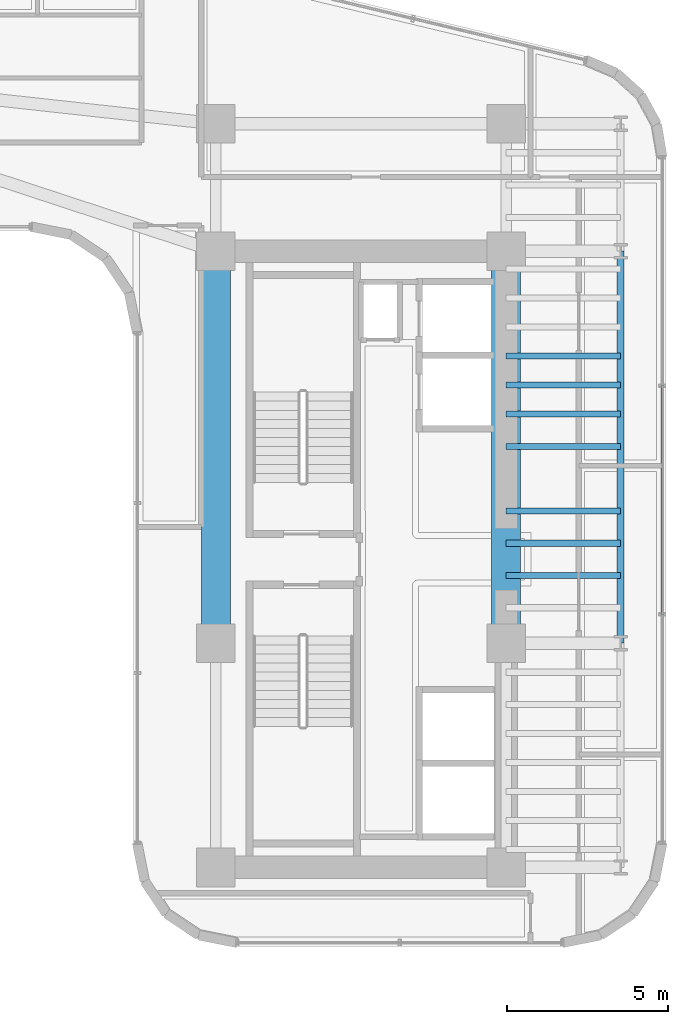
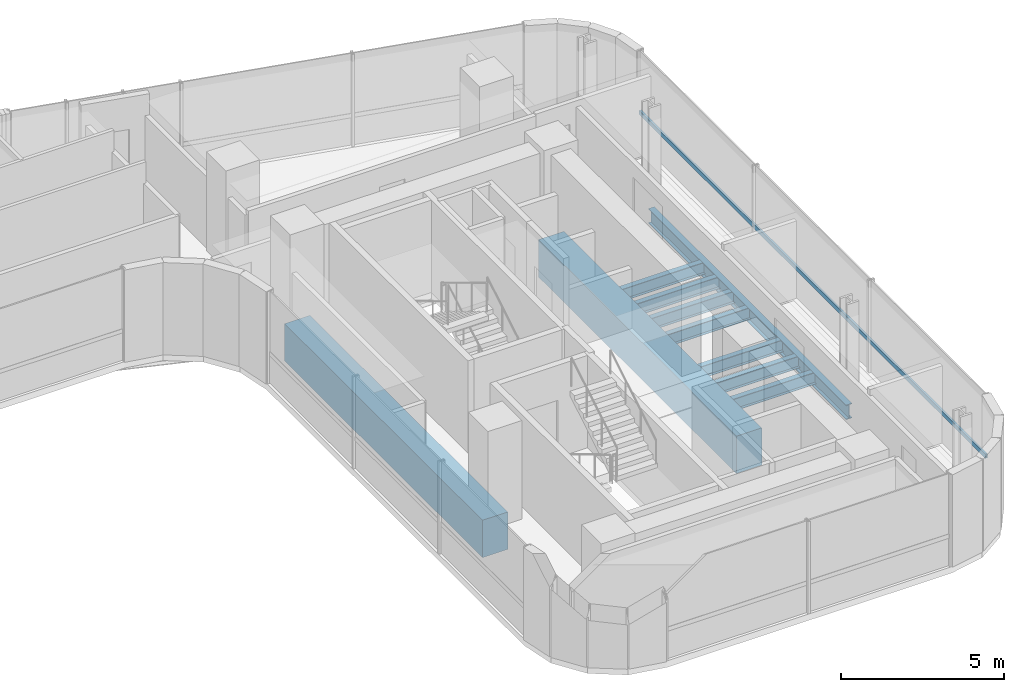
# One storey, part 16 of 35: 10 beams, 1 member, 1 element without a shape of its own.
"""IFC4 building model written with IfcOpenShell, lengths in metres."""

from ifc_helpers import new_model, si_unit, direction, frame, origin, origin_2d, place, context, subcontext, project, spatial, rectangle, hollow_rectangle, i_section, extrude, source, transform, mapped, material, material_profile, profile_set, type_object, element, aggregate, save


model = new_model("IFC4")

# Units and contexts
model_context = context("Model", 3, precision=1e-05, world=origin(), true_north=direction((0.0, 1.0)))
body_context = subcontext(model_context, "Body", "Model", "MODEL_VIEW")
ifc_project = project(units=[si_unit("LENGTHUNIT", "METRE"), si_unit("AREAUNIT", "SQUARE_METRE"), si_unit("VOLUMEUNIT", "CUBIC_METRE"), si_unit("PLANEANGLEUNIT", "RADIAN"), si_unit("MASSUNIT", "GRAM", prefix="KILO")], contexts=[model_context])

# Site, building, storey
site_placement = place(None, origin())
site = spatial("IfcSite", under=ifc_project, at=site_placement, CompositionType="ELEMENT")
building_placement = place(site_placement, origin())
building = spatial("IfcBuilding", under=site, at=building_placement, Name="Valdorenza Pilgrim Sanctuary Tower", CompositionType="ELEMENT")
storey_placement = place(building_placement, frame((0.0, 0.0, 105.699951171875)))
storey = spatial("IfcBuildingStorey", under=building, at=storey_placement, Name="L26", CompositionType="ELEMENT", Elevation=105.699951171875)

# Beams
ifc_material_1 = material(Name="Concrete C60/75", Category="concrete")
ifc_material_profile_1 = material_profile(ifc_material_1, rectangle(XDim=0.89990234375, YDim=1.39990234375, at=origin_2d()), Name="RC 1400x900")
ifc_profile_set_1 = profile_set([ifc_material_profile_1], Name="Concrete C60/75")
beam_type_1 = type_object("IfcBeamType", Name="STR-BM-LNT-1400", PredefinedType="LINTEL", material=ifc_profile_set_1)
shared_shape_1 = source(origin(), body_context, "Body", "SweptSolid", [
    extrude(rectangle(XDim=0.89990234375, YDim=1.39990234375, at=origin_2d()), origin(), (0.0, 0.0, 1.0), 12.150146484375),
])
for number, where, z_axis, x_axis, name in (
    (1, (15.85009765625, -2.60009765625, -0.739990234375), (0.0, 1.0, 0.0), (-1.0, 0.0, 0.0), "L26 Core B West Coupling Lintel Girder"),
    (2, (24.85009765625, -2.60009765625, -0.739990234375), (0.0, 1.0, 0.0), (-1.0, 0.0, 0.0), "L26 Core B East Coupling Lintel Girder"),
):
    element("IfcBeam", number, at=place(storey_placement, frame(where, z_axis=z_axis, x_axis=x_axis)), inside=storey, type_object=beam_type_1, Name=name, PredefinedType="LINTEL", context=body_context, shape_type="MappedRepresentation", body=[
        mapped(shared_shape_1, transform((0.0, 0.0, 0.0), x_axis=(1.0, 0.0, 0.0), y_axis=(0.0, 1.0, 0.0), z_axis=(0.0, 0.0, 1.0), scale=1.0)),
    ])
ifc_material_2 = material(Name="Steel ASTM A992 Grade 50", Category="steel")
ifc_material_profile_2 = material_profile(ifc_material_2, i_section(OverallWidth=0.214111328125, OverallDepth=0.549072265625, WebThickness=0.0146484375, FlangeThickness=0.023681640625, at=origin_2d()), Name="W21X93")
ifc_profile_set_2 = profile_set([ifc_material_profile_2], Name="Steel ASTM A992 Grade 50")
beam_type_2 = type_object("IfcBeamType", Name="STR-BM-SPN-W21A", PredefinedType="SPANDREL", material=ifc_profile_set_2)
shared_shape_2 = source(origin(), body_context, "Body", "SweptSolid", [
    extrude(i_section(OverallWidth=0.214111328125, OverallDepth=0.549072265625, WebThickness=0.0146484375, FlangeThickness=0.023681640625, at=origin_2d()), origin(), (0.0, 0.0, 1.0), 12.150146484375),
])
beam_placement = place(storey_placement, frame((28.39990234375, -2.60009765625, -0.514404296875), z_axis=(0.0, 1.0, 0.0), x_axis=(-1.0, 0.0, 0.0)))
element("IfcBeam", 3, at=beam_placement, inside=storey, type_object=beam_type_2, Name="L26 Spandrel Beam WB-E-M0N1", PredefinedType="SPANDREL", context=body_context, shape_type="MappedRepresentation", body=[
    mapped(shared_shape_2, transform((0.0, 0.0, 0.0), x_axis=(1.0, 0.0, 0.0), y_axis=(0.0, 1.0, 0.0), z_axis=(0.0, 0.0, 1.0), scale=1.0)),
])
ifc_material_profile_3 = material_profile(ifc_material_2, i_section(OverallWidth=0.19091796875, OverallDepth=0.45703125, WebThickness=0.009033203125, FlangeThickness=0.014404296875, at=origin_2d()), Name="W18X50")
ifc_profile_set_3 = profile_set([ifc_material_profile_3], Name="Steel ASTM A992 Grade 50")
beam_type_3 = type_object("IfcBeamType", Name="STR-BM-JST-W18B", PredefinedType="JOIST", material=ifc_profile_set_3)
shared_shape_3 = source(origin(), body_context, "Body", "SweptSolid", [
    extrude(i_section(OverallWidth=0.19091796875, OverallDepth=0.45703125, WebThickness=0.009033203125, FlangeThickness=0.014404296875, at=origin_2d()), origin(), (0.0, 0.0, 1.0), 3.5498046875),
])
for number, where, z_axis, x_axis, name in (
    (4, (24.85009765625, -0.5, -0.468505859375), (1.0, 0.0, 0.0), (0.0, 1.0, 0.0), "L26 Composite Floor Joist JST-WB-9"),
    (5, (24.85009765625, 0.5, -0.468505859375), (1.0, 0.0, 0.0), (0.0, 1.0, 0.0), "L26 Composite Floor Joist JST-WB-10"),
    (6, (24.85009765625, 1.5, -0.468505859375), (1.0, 0.0, 0.0), (0.0, 1.0, 0.0), "L26 Composite Floor Joist JST-WB-11"),
    (7, (24.85009765625, 3.5, -0.468505859375), (1.0, 0.0, 0.0), (0.0, 1.0, 0.0), "L26 Composite Floor Joist JST-WB-12"),
    (8, (24.85009765625, 4.5, -0.468505859375), (1.0, 0.0, 0.0), (0.0, 1.0, 0.0), "L26 Composite Floor Joist JST-WB-13"),
    (9, (24.85009765625, 5.39990234375, -0.468505859375), (1.0, 0.0, 0.0), (0.0, 1.0, 0.0), "L26 Composite Floor Joist JST-WB-14"),
    (10, (24.85009765625, 6.300048828125, -0.468505859375), (1.0, 0.0, 0.0), (0.0, 1.0, 0.0), "L26 Composite Floor Joist JST-WB-15"),
):
    element("IfcBeam", number, at=place(storey_placement, frame(where, z_axis=z_axis, x_axis=x_axis)), inside=storey, type_object=beam_type_3, Name=name, PredefinedType="JOIST", context=body_context, shape_type="MappedRepresentation", body=[
        mapped(shared_shape_3, transform((0.0, 0.0, 0.0), x_axis=(1.0, 0.0, 0.0), y_axis=(0.0, 1.0, 0.0), z_axis=(0.0, 0.0, 1.0), scale=1.0)),
    ])

# Curtain wall, member
ifc_material_3 = material(Name="Curtain-wall IGU glazing", Category="glass")
curtain_wall_type = type_object("IfcCurtainWallType", Name="CW-SYS-03", PredefinedType="NOTDEFINED", material=ifc_material_3)
curtain_wall_placement = place(storey_placement, origin())
curtain_wall = element("IfcCurtainWall", 11, at=curtain_wall_placement, inside=storey, type_object=curtain_wall_type, Name="L26 Curtain Wall CW-L26-1-21", PredefinedType="NOTDEFINED")
ifc_material_4 = material(Name="Anodised aluminium AW-6060", Category="aluminium")
ifc_material_profile_4 = material_profile(ifc_material_4, hollow_rectangle(XDim=0.074951171875, YDim=0.159912109375, WallThickness=0.00390625, at=origin_2d()), Name="ALU-T 160x75x4")
ifc_profile_set_4 = profile_set([ifc_material_profile_4], Name="Anodised aluminium AW-6060")
member_type = type_object("IfcMemberType", Name="CW-TRN-03", PredefinedType="USERDEFINED", material=ifc_profile_set_4)
shared_shape_4 = source(origin(), body_context, "Body", "SweptSolid", [
    extrude(hollow_rectangle(XDim=0.074951171875, YDim=0.159912109375, WallThickness=0.00390625, at=origin_2d()), origin(), (0.0, 0.0, 1.0), 21.255615234375),
])
member_placement = place(storey_placement, frame((29.68994140625, 12.46630859375, 1.1201171875), z_axis=(0.0, -1.0, 0.0), x_axis=(1.0, 0.0, 0.0)))
member = element("IfcMember", 12, at=member_placement, type_object=member_type, Name="CW-L26-1-21 Transom 1", ObjectType="TRANSOM", PredefinedType="USERDEFINED", context=body_context, shape_type="MappedRepresentation", body=[
    mapped(shared_shape_4, transform((0.0, 0.0, 0.0), x_axis=(1.0, 0.0, 0.0), y_axis=(0.0, 1.0, 0.0), z_axis=(0.0, 0.0, 1.0), scale=1.0)),
])
aggregate(curtain_wall, [member])

save(model, "model.ifc")
